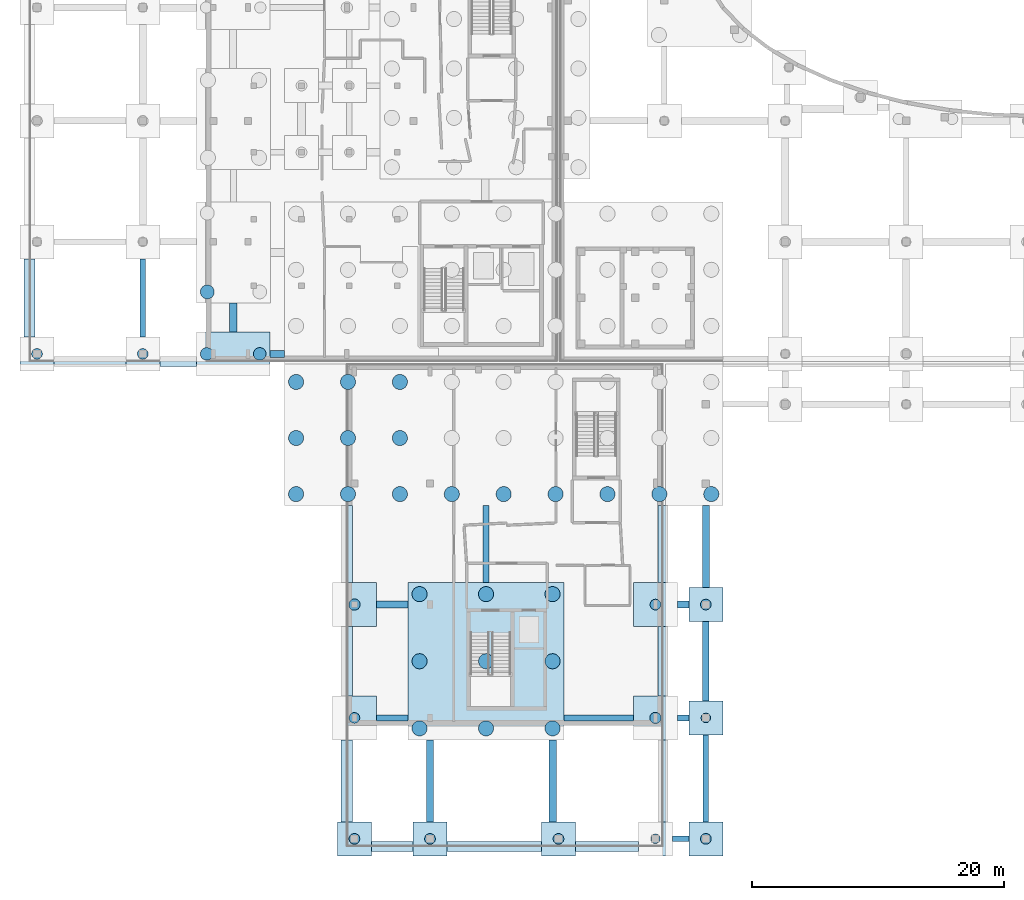
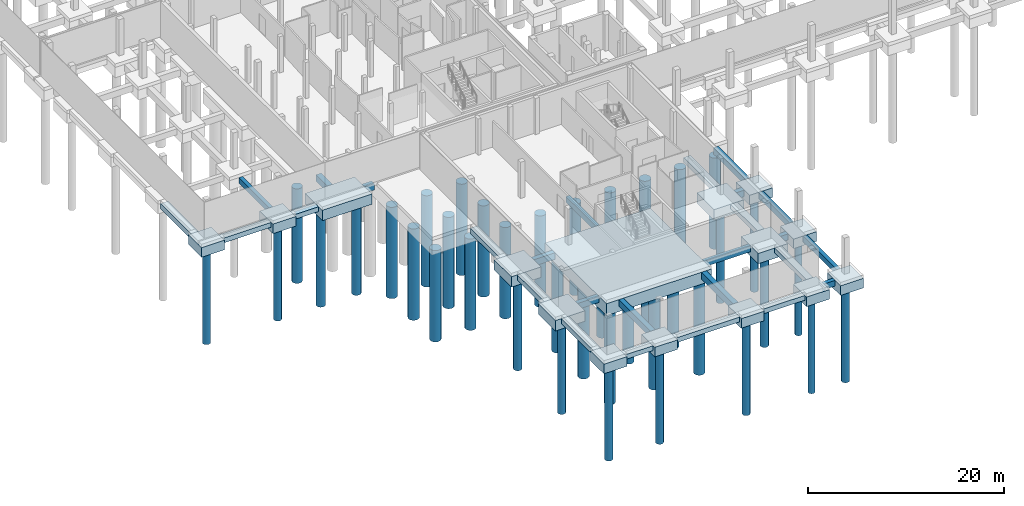
# One storey, part 1 of 40: 42 footings, 40 piles.
"""IFC4 building model written with IfcOpenShell, lengths in metres."""

from ifc_helpers import new_model, si_unit, direction, frame, origin, origin_2d, place, context, subcontext, project, spatial, polyline, circle, outline, extrude, material, material_profile, profile_set, type_object, element, save


model = new_model("IFC4")

# Units and contexts
model_context = context("Model", 3, precision=1e-05, world=origin(), true_north=direction((0.0, 1.0)))
body_context = subcontext(model_context, "Body", "Model", "MODEL_VIEW")
ifc_project = project(units=[si_unit("LENGTHUNIT", "METRE"), si_unit("AREAUNIT", "SQUARE_METRE"), si_unit("VOLUMEUNIT", "CUBIC_METRE"), si_unit("PLANEANGLEUNIT", "RADIAN"), si_unit("MASSUNIT", "GRAM", prefix="KILO")], contexts=[model_context])

# Site, building, storey
site_placement = place(None, origin())
site = spatial("IfcSite", under=ifc_project, at=site_placement, CompositionType="ELEMENT")
building_placement = place(site_placement, origin())
building = spatial("IfcBuilding", under=site, at=building_placement, Name="Mzevani Central Library", CompositionType="ELEMENT")
storey_placement = place(building_placement, frame((0.0, 0.0, -4.5)))
storey = spatial("IfcBuildingStorey", under=building, at=storey_placement, Name="B1", CompositionType="ELEMENT", Elevation=-4.5)

# Piles
ifc_material = material(Name="Concrete C40/50", Category="concrete")
ifc_material_profile_1 = material_profile(ifc_material, circle(Radius=0.5, at=origin_2d()), Name="PILE D1000")
ifc_profile_set_1 = profile_set([ifc_material_profile_1], Name="Concrete C40/50")
pile_type_1 = type_object("IfcPileType", Name="Bored Pile D1000", PredefinedType="BORED", material=ifc_profile_set_1)
for number, where, z_axis, x_axis, name in (
    (1, (18.070068359375, 43.10009765625, -1.6201171875), (0.0, 0.0, -1.0), (1.0, 0.0, 0.0), "B1 Bored Pile P-04 (302)"),
    (2, (22.280029296875, 43.10009765625, -1.6201171875), (0.0, 0.0, -1.0), (1.0, 0.0, 0.0), "B1 Bored Pile P-04 (303)"),
):
    element("IfcPile", number, at=place(storey_placement, frame(where, z_axis=z_axis, x_axis=x_axis)), inside=storey, type_object=pile_type_1, Name=name, PredefinedType="BORED", context=body_context, shape_type="SweptSolid", body=[
        extrude(circle(Radius=0.5, at=origin_2d()), origin(), (0.0, 0.0, 1.0), 11.8798828125),
    ])
ifc_material_profile_2 = material_profile(ifc_material, circle(Radius=0.550048828125, at=origin_2d()), Name="PILE D1100")
ifc_profile_set_2 = profile_set([ifc_material_profile_2], Name="Concrete C40/50")
pile_type_2 = type_object("IfcPileType", Name="Bored Pile D1100", PredefinedType="BORED", material=ifc_profile_set_2)
pile_1_placement = place(storey_placement, frame((18.1201171875, 48.02001953125, -1.719970703125), z_axis=(0.0, 0.0, -1.0), x_axis=(1.0, 0.0, 0.0)))
element("IfcPile", 3, at=pile_1_placement, inside=storey, type_object=pile_type_2, Name="B1 Bored Pile P-05 (304)", PredefinedType="BORED", context=body_context, shape_type="SweptSolid", body=[
    extrude(circle(Radius=0.550048828125, at=origin_2d()), origin(), (0.0, 0.0, 1.0), 11.780029296875),
])
ifc_material_profile_3 = material_profile(ifc_material, circle(Radius=0.60009765625, at=origin_2d()), Name="PILE D1200")
ifc_profile_set_3 = profile_set([ifc_material_profile_3], Name="Concrete C40/50")
pile_type_3 = type_object("IfcPileType", Name="Bored Pile D1200", PredefinedType="BORED", material=ifc_profile_set_3)
for number, where, z_axis, x_axis, name in (
    (4, (25.169921875, 31.969970703125, -2.1201171875), (0.0, 0.0, -1.0), (1.0, 0.0, 0.0), "B1 Bored Pile P-06 (226)"),
    (5, (25.169921875, 36.422119140625, -2.1201171875), (0.0, 0.0, -1.0), (1.0, 0.0, 0.0), "B1 Bored Pile P-06 (227)"),
    (6, (25.169921875, 40.8740234375, -2.1201171875), (0.0, 0.0, -1.0), (1.0, 0.0, 0.0), "B1 Bored Pile P-06 (228)"),
    (7, (29.2900390625, 31.969970703125, -2.1201171875), (0.0, 0.0, -1.0), (1.0, 0.0, 0.0), "B1 Bored Pile P-06 (232)"),
    (8, (29.2900390625, 36.422119140625, -2.1201171875), (0.0, 0.0, -1.0), (1.0, 0.0, 0.0), "B1 Bored Pile P-06 (233)"),
    (9, (29.2900390625, 40.8740234375, -2.1201171875), (0.0, 0.0, -1.0), (1.0, 0.0, 0.0), "B1 Bored Pile P-06 (234)"),
    (10, (33.409912109375, 31.969970703125, -2.1201171875), (0.0, 0.0, -1.0), (1.0, 0.0, 0.0), "B1 Bored Pile P-06 (238)"),
    (11, (33.409912109375, 36.422119140625, -2.1201171875), (0.0, 0.0, -1.0), (1.0, 0.0, 0.0), "B1 Bored Pile P-06 (239)"),
    (12, (33.409912109375, 40.8740234375, -2.1201171875), (0.0, 0.0, -1.0), (1.0, 0.0, 0.0), "B1 Bored Pile P-06 (240)"),
    (13, (37.530029296875, 31.969970703125, -2.1201171875), (0.0, 0.0, -1.0), (1.0, 0.0, 0.0), "B1 Bored Pile P-06 (244)"),
    (14, (41.64990234375, 31.969970703125, -2.1201171875), (0.0, 0.0, -1.0), (1.0, 0.0, 0.0), "B1 Bored Pile P-06 (250)"),
    (15, (45.77001953125, 31.969970703125, -2.1201171875), (0.0, 0.0, -1.0), (1.0, 0.0, 0.0), "B1 Bored Pile P-06 (256)"),
    (16, (49.889892578125, 31.969970703125, -2.1201171875), (0.0, 0.0, -1.0), (1.0, 0.0, 0.0), "B1 Bored Pile P-06 (262)"),
    (17, (54.010009765625, 31.969970703125, -2.1201171875), (0.0, 0.0, -1.0), (1.0, 0.0, 0.0), "B1 Bored Pile P-06 (268)"),
    (18, (58.1298828125, 31.969970703125, -2.1201171875), (0.0, 0.0, -1.0), (1.0, 0.0, 0.0), "B1 Bored Pile P-06 (274)"),
):
    element("IfcPile", number, at=place(storey_placement, frame(where, z_axis=z_axis, x_axis=x_axis)), inside=storey, type_object=pile_type_3, Name=name, PredefinedType="BORED", context=body_context, shape_type="SweptSolid", body=[
        extrude(circle(Radius=0.60009765625, at=origin_2d()), origin(), (0.0, 0.0, 1.0), 11.3798828125),
    ])
for number, where, z_axis, x_axis, name in (
    (19, (34.969970703125, 13.3701171875, -1.820068359375), (0.0, 0.0, -1.0), (1.0, 0.0, 0.0), "B1 Bored Pile P-06 (281)"),
    (20, (34.969970703125, 18.699951171875, -1.820068359375), (0.0, 0.0, -1.0), (1.0, 0.0, 0.0), "B1 Bored Pile P-06 (282)"),
    (21, (34.969970703125, 24.030029296875, -1.820068359375), (0.0, 0.0, -1.0), (1.0, 0.0, 0.0), "B1 Bored Pile P-06 (283)"),
    (22, (40.25, 13.3701171875, -1.820068359375), (0.0, 0.0, -1.0), (1.0, 0.0, 0.0), "B1 Bored Pile P-06 (284)"),
    (23, (40.25, 18.699951171875, -1.820068359375), (0.0, 0.0, -1.0), (1.0, 0.0, 0.0), "B1 Bored Pile P-06 (285)"),
    (24, (40.25, 24.030029296875, -1.820068359375), (0.0, 0.0, -1.0), (1.0, 0.0, 0.0), "B1 Bored Pile P-06 (286)"),
    (25, (45.530029296875, 13.3701171875, -1.820068359375), (0.0, 0.0, -1.0), (1.0, 0.0, 0.0), "B1 Bored Pile P-06 (287)"),
    (26, (45.530029296875, 18.699951171875, -1.820068359375), (0.0, 0.0, -1.0), (1.0, 0.0, 0.0), "B1 Bored Pile P-06 (288)"),
    (27, (45.530029296875, 24.030029296875, -1.820068359375), (0.0, 0.0, -1.0), (1.0, 0.0, 0.0), "B1 Bored Pile P-06 (289)"),
):
    element("IfcPile", number, at=place(storey_placement, frame(where, z_axis=z_axis, x_axis=x_axis)), inside=storey, type_object=pile_type_3, Name=name, PredefinedType="BORED", context=body_context, shape_type="SweptSolid", body=[
        extrude(circle(Radius=0.60009765625, at=origin_2d()), origin(), (0.0, 0.0, 1.0), 11.679931640625),
    ])
ifc_material_profile_4 = material_profile(ifc_material, circle(Radius=0.375, at=origin_2d()), Name="PILE D750")
ifc_profile_set_4 = profile_set([ifc_material_profile_4], Name="Concrete C40/50")
pile_type_4 = type_object("IfcPileType", Name="Bored Pile D750", PredefinedType="BORED", material=ifc_profile_set_4)
for number, where, z_axis, x_axis, name in (
    (28, (53.699951171875, 4.60009765625, -1.52001953125), (0.0, 0.0, -1.0), (1.0, 0.0, 0.0), "B1 Bored Pile P-01 (291)"),
    (29, (57.699951171875, 14.199951171875, -1.52001953125), (0.0, 0.0, -1.0), (1.0, 0.0, 0.0), "B1 Bored Pile P-01 (340)"),
):
    element("IfcPile", number, at=place(storey_placement, frame(where, z_axis=z_axis, x_axis=x_axis)), inside=storey, type_object=pile_type_4, Name=name, PredefinedType="BORED", context=body_context, shape_type="SweptSolid", body=[
        extrude(circle(Radius=0.375, at=origin_2d()), origin(), (0.0, 0.0, 1.0), 11.97998046875),
    ])
ifc_material_profile_5 = material_profile(ifc_material, circle(Radius=0.425048828125, at=origin_2d()), Name="PILE D850")
ifc_profile_set_5 = profile_set([ifc_material_profile_5], Name="Concrete C40/50")
pile_type_5 = type_object("IfcPileType", Name="Bored Pile D850", PredefinedType="BORED", material=ifc_profile_set_5)
pile_2_placement = place(storey_placement, frame((29.800048828125, 4.60009765625, -1.52001953125), z_axis=(0.0, 0.0, -1.0), x_axis=(1.0, 0.0, 0.0)))
element("IfcPile", 30, at=pile_2_placement, inside=storey, type_object=pile_type_5, Name="B1 Bored Pile P-02 (223)", PredefinedType="BORED", context=body_context, shape_type="SweptSolid", body=[
    extrude(circle(Radius=0.425048828125, at=origin_2d()), origin(), (0.0, 0.0, 1.0), 11.97998046875),
])
pile_3_placement = place(storey_placement, frame((29.800048828125, 14.199951171875, -1.6201171875), z_axis=(0.0, 0.0, -1.0), x_axis=(1.0, 0.0, 0.0)))
element("IfcPile", 31, at=pile_3_placement, inside=storey, type_object=pile_type_5, Name="B1 Bored Pile P-02 (224)", PredefinedType="BORED", context=body_context, shape_type="SweptSolid", body=[
    extrude(circle(Radius=0.425048828125, at=origin_2d()), origin(), (0.0, 0.0, 1.0), 11.8798828125),
])
for number, where, z_axis, x_axis, name in (
    (32, (35.800048828125, 4.60009765625, -1.52001953125), (0.0, 0.0, -1.0), (1.0, 0.0, 0.0), "B1 Bored Pile P-02 (280)"),
    (33, (46.0, 4.60009765625, -1.52001953125), (0.0, 0.0, -1.0), (1.0, 0.0, 0.0), "B1 Bored Pile P-02 (290)"),
):
    element("IfcPile", number, at=place(storey_placement, frame(where, z_axis=z_axis, x_axis=x_axis)), inside=storey, type_object=pile_type_5, Name=name, PredefinedType="BORED", context=body_context, shape_type="SweptSolid", body=[
        extrude(circle(Radius=0.425048828125, at=origin_2d()), origin(), (0.0, 0.0, 1.0), 11.97998046875),
    ])
pile_4_placement = place(storey_placement, frame((53.699951171875, 23.199951171875, -1.6201171875), z_axis=(0.0, 0.0, -1.0), x_axis=(1.0, 0.0, 0.0)))
element("IfcPile", 34, at=pile_4_placement, inside=storey, type_object=pile_type_5, Name="B1 Bored Pile P-02 (293)", PredefinedType="BORED", context=body_context, shape_type="SweptSolid", body=[
    extrude(circle(Radius=0.425048828125, at=origin_2d()), origin(), (0.0, 0.0, 1.0), 11.8798828125),
])
for number, where, z_axis, x_axis, name in (
    (35, (4.60009765625, 43.10009765625, -1.52001953125), (0.0, 0.0, -1.0), (1.0, 0.0, 0.0), "B1 Bored Pile P-02 (294)"),
    (36, (13.0, 43.10009765625, -1.52001953125), (0.0, 0.0, -1.0), (1.0, 0.0, 0.0), "B1 Bored Pile P-02 (298)"),
    (37, (57.699951171875, 4.60009765625, -1.52001953125), (0.0, 0.0, -1.0), (1.0, 0.0, 0.0), "B1 Bored Pile P-02 (339)"),
    (38, (57.699951171875, 23.199951171875, -1.52001953125), (0.0, 0.0, -1.0), (1.0, 0.0, 0.0), "B1 Bored Pile P-02 (341)"),
):
    element("IfcPile", number, at=place(storey_placement, frame(where, z_axis=z_axis, x_axis=x_axis)), inside=storey, type_object=pile_type_5, Name=name, PredefinedType="BORED", context=body_context, shape_type="SweptSolid", body=[
        extrude(circle(Radius=0.425048828125, at=origin_2d()), origin(), (0.0, 0.0, 1.0), 11.97998046875),
    ])
ifc_material_profile_6 = material_profile(ifc_material, circle(Radius=0.449951171875, at=origin_2d()), Name="PILE D900")
ifc_profile_set_6 = profile_set([ifc_material_profile_6], Name="Concrete C40/50")
pile_type_6 = type_object("IfcPileType", Name="Bored Pile D900", PredefinedType="BORED", material=ifc_profile_set_6)
for number, where, z_axis, x_axis, name in (
    (39, (29.800048828125, 23.199951171875, -1.6201171875), (0.0, 0.0, -1.0), (1.0, 0.0, 0.0), "B1 Bored Pile P-03 (225)"),
    (40, (53.699951171875, 14.199951171875, -1.6201171875), (0.0, 0.0, -1.0), (1.0, 0.0, 0.0), "B1 Bored Pile P-03 (292)"),
):
    element("IfcPile", number, at=place(storey_placement, frame(where, z_axis=z_axis, x_axis=x_axis)), inside=storey, type_object=pile_type_6, Name=name, PredefinedType="BORED", context=body_context, shape_type="SweptSolid", body=[
        extrude(circle(Radius=0.449951171875, at=origin_2d()), origin(), (0.0, 0.0, 1.0), 11.8798828125),
    ])

# Footings
footing_type_1 = type_object("IfcFootingType", Name="Ground Tie Beam RC 450x700", PredefinedType="FOOTING_BEAM", material=ifc_material)
footing_1_placement = place(storey_placement, frame((0.0, 0.0, -1.1201171875)))
element("IfcFooting", 41, at=footing_1_placement, inside=storey, type_object=footing_type_1, Name="MAT Ground Tie Beam GB-01 (37)", PredefinedType="FOOTING_BEAM", context=body_context, shape_type="SweptSolid", body=[
    extrude(outline(polyline([(46.449951171875, 13.97509765625), (51.949951171875, 13.97509765625), (51.949951171875, 14.425048828125), (46.449951171875, 14.425048828125), (46.449951171875, 13.97509765625)])), origin(), (0.0, 0.0, 1.0), 0.7001953125),
])
footing_2_placement = place(storey_placement, frame((0.0, 0.0, -1.1201171875)))
element("IfcFooting", 42, at=footing_2_placement, inside=storey, type_object=footing_type_1, Name="MAT Ground Tie Beam GB-01 (45)", PredefinedType="FOOTING_BEAM", context=body_context, shape_type="SweptSolid", body=[
    extrude(outline(polyline([(55.050048828125, 4.375), (56.35009765625, 4.375), (56.35009765625, 4.824951171875), (55.050048828125, 4.824951171875), (55.050048828125, 4.375)])), origin(), (0.0, 0.0, 1.0), 0.7001953125),
])
footing_3_placement = place(storey_placement, frame((0.0, 0.0, -1.1201171875)))
element("IfcFooting", 43, at=footing_3_placement, inside=storey, type_object=footing_type_1, Name="MAT Ground Tie Beam GB-01 (117)", PredefinedType="FOOTING_BEAM", context=body_context, shape_type="SweptSolid", body=[
    extrude(outline(polyline([(57.47509765625, 5.949951171875), (57.925048828125, 5.949951171875), (57.925048828125, 12.85009765625), (57.47509765625, 12.85009765625), (57.47509765625, 5.949951171875)])), origin(), (0.0, 0.0, 1.0), 0.7001953125),
])
footing_4_placement = place(storey_placement, frame((0.0, 0.0, -1.1201171875)))
element("IfcFooting", 44, at=footing_4_placement, inside=storey, type_object=footing_type_1, Name="MAT Ground Tie Beam GB-01 (129)", PredefinedType="FOOTING_BEAM", context=body_context, shape_type="SweptSolid", body=[
    extrude(outline(polyline([(40.02490234375, 24.949951171875), (40.47509765625, 24.949951171875), (40.47509765625, 31.050048828125), (40.02490234375, 31.050048828125), (40.02490234375, 24.949951171875)])), origin(), (0.0, 0.0, 1.0), 0.7001953125),
])
footing_5_placement = place(storey_placement, frame((0.0, 0.0, -1.1201171875)))
element("IfcFooting", 45, at=footing_5_placement, inside=storey, type_object=footing_type_1, Name="MAT Ground Tie Beam GB-01 (149)", PredefinedType="FOOTING_BEAM", context=body_context, shape_type="SweptSolid", body=[
    extrude(outline(polyline([(12.77490234375, 44.449951171875), (13.22509765625, 44.449951171875), (13.22509765625, 50.64990234375), (12.77490234375, 50.64990234375), (12.77490234375, 44.449951171875)])), origin(), (0.0, 0.0, 1.0), 0.7001953125),
])
footing_type_2 = type_object("IfcFootingType", Name="Ground Tie Beam RC 500x750", PredefinedType="FOOTING_BEAM", material=ifc_material)
footing_6_placement = place(storey_placement, frame((0.0, 0.0, -1.169921875)))
element("IfcFooting", 46, at=footing_6_placement, inside=storey, type_object=footing_type_2, Name="MAT Ground Tie Beam GB-02 (30)", PredefinedType="FOOTING_BEAM", context=body_context, shape_type="SweptSolid", body=[
    extrude(outline(polyline([(31.550048828125, 13.949951171875), (34.050048828125, 13.949951171875), (34.050048828125, 14.449951171875), (31.550048828125, 14.449951171875), (31.550048828125, 13.949951171875)])), origin(), (0.0, 0.0, 1.0), 0.75),
])
footing_7_placement = place(storey_placement, frame((0.0, 0.0, -1.169921875)))
element("IfcFooting", 47, at=footing_7_placement, inside=storey, type_object=footing_type_2, Name="MAT Ground Tie Beam GB-02 (42)", PredefinedType="FOOTING_BEAM", context=body_context, shape_type="SweptSolid", body=[
    extrude(outline(polyline([(55.449951171875, 13.949951171875), (56.35009765625, 13.949951171875), (56.35009765625, 14.449951171875), (55.449951171875, 14.449951171875), (55.449951171875, 13.949951171875)])), origin(), (0.0, 0.0, 1.0), 0.75),
])
footing_8_placement = place(storey_placement, frame((0.0, 0.0, -1.169921875)))
element("IfcFooting", 48, at=footing_8_placement, inside=storey, type_object=footing_type_2, Name="MAT Ground Tie Beam GB-02 (130)", PredefinedType="FOOTING_BEAM", context=body_context, shape_type="SweptSolid", body=[
    extrude(outline(polyline([(57.449951171875, 15.550048828125), (57.949951171875, 15.550048828125), (57.949951171875, 21.85009765625), (57.449951171875, 21.85009765625), (57.449951171875, 15.550048828125)])), origin(), (0.0, 0.0, 1.0), 0.75),
])
footing_type_3 = type_object("IfcFootingType", Name="Ground Tie Beam RC 550x800", PredefinedType="FOOTING_BEAM", material=ifc_material)
footing_9_placement = place(storey_placement, frame((0.0, 0.0, -1.219970703125)))
element("IfcFooting", 49, at=footing_9_placement, inside=storey, type_object=footing_type_3, Name="MAT Ground Tie Beam GB-03 (15)", PredefinedType="FOOTING_BEAM", context=body_context, shape_type="SweptSolid", body=[
    extrude(outline(polyline([(23.10009765625, 42.824951171875), (24.25, 42.824951171875), (24.25, 43.375), (23.10009765625, 43.375), (23.10009765625, 42.824951171875)])), origin(), (0.0, 0.0, 1.0), 0.800048828125),
])
footing_10_placement = place(storey_placement, frame((0.0, 0.0, -1.219970703125)))
element("IfcFooting", 50, at=footing_10_placement, inside=storey, type_object=footing_type_3, Name="MAT Ground Tie Beam GB-03 (31)", PredefinedType="FOOTING_BEAM", context=body_context, shape_type="SweptSolid", body=[
    extrude(outline(polyline([(31.550048828125, 22.925048828125), (34.050048828125, 22.925048828125), (34.050048828125, 23.47509765625), (31.550048828125, 23.47509765625), (31.550048828125, 22.925048828125)])), origin(), (0.0, 0.0, 1.0), 0.800048828125),
])
footing_11_placement = place(storey_placement, frame((0.0, 0.0, -1.219970703125)))
element("IfcFooting", 51, at=footing_11_placement, inside=storey, type_object=footing_type_3, Name="MAT Ground Tie Beam GB-03 (43)", PredefinedType="FOOTING_BEAM", context=body_context, shape_type="SweptSolid", body=[
    extrude(outline(polyline([(55.449951171875, 22.925048828125), (56.35009765625, 22.925048828125), (56.35009765625, 23.47509765625), (55.449951171875, 23.47509765625), (55.449951171875, 22.925048828125)])), origin(), (0.0, 0.0, 1.0), 0.800048828125),
])
footing_12_placement = place(storey_placement, frame((0.0, 0.0, -1.219970703125)))
element("IfcFooting", 52, at=footing_12_placement, inside=storey, type_object=footing_type_3, Name="MAT Ground Tie Beam GB-03 (115)", PredefinedType="FOOTING_BEAM", context=body_context, shape_type="SweptSolid", body=[
    extrude(outline(polyline([(35.52490234375, 5.949951171875), (36.074951171875, 5.949951171875), (36.074951171875, 12.449951171875), (35.52490234375, 12.449951171875), (35.52490234375, 5.949951171875)])), origin(), (0.0, 0.0, 1.0), 0.800048828125),
])
footing_13_placement = place(storey_placement, frame((0.0, 0.0, -1.219970703125)))
element("IfcFooting", 53, at=footing_13_placement, inside=storey, type_object=footing_type_3, Name="MAT Ground Tie Beam GB-03 (135)", PredefinedType="FOOTING_BEAM", context=body_context, shape_type="SweptSolid", body=[
    extrude(outline(polyline([(57.425048828125, 24.550048828125), (57.97509765625, 24.550048828125), (57.97509765625, 31.050048828125), (57.425048828125, 31.050048828125), (57.425048828125, 24.550048828125)])), origin(), (0.0, 0.0, 1.0), 0.800048828125),
])
footing_type_4 = type_object("IfcFootingType", Name="Ground Tie Beam RC 600x850", PredefinedType="FOOTING_BEAM", material=ifc_material)
footing_14_placement = place(storey_placement, frame((0.0, 0.0, -1.27001953125)))
element("IfcFooting", 54, at=footing_14_placement, inside=storey, type_object=footing_type_4, Name="MAT Ground Tie Beam GB-04 (116)", PredefinedType="FOOTING_BEAM", context=body_context, shape_type="SweptSolid", body=[
    extrude(outline(polyline([(45.25, 5.949951171875), (45.85009765625, 5.949951171875), (45.85009765625, 12.449951171875), (45.25, 12.449951171875), (45.25, 5.949951171875)])), origin(), (0.0, 0.0, 1.0), 0.85009765625),
])
footing_15_placement = place(storey_placement, frame((0.0, 0.0, -1.27001953125)))
element("IfcFooting", 55, at=footing_15_placement, inside=storey, type_object=footing_type_4, Name="MAT Ground Tie Beam GB-04 (148)", PredefinedType="FOOTING_BEAM", context=body_context, shape_type="SweptSolid", body=[
    extrude(outline(polyline([(19.875, 44.85009765625), (20.47509765625, 44.85009765625), (20.47509765625, 47.14990234375), (19.875, 47.14990234375), (19.875, 44.85009765625)])), origin(), (0.0, 0.0, 1.0), 0.85009765625),
])
footing_type_5 = type_object("IfcFootingType", Name="Perimeter Strip Footing RC 800x600", PredefinedType="STRIP_FOOTING", material=ifc_material)
footing_16_placement = place(storey_placement, frame((0.0, 0.0, -1.02001953125)))
element("IfcFooting", 56, at=footing_16_placement, inside=storey, type_object=footing_type_5, Name="B1 Perimeter Strip Footing SF-01 (45)", PredefinedType="STRIP_FOOTING", context=body_context, shape_type="SweptSolid", body=[
    extrude(outline(polyline([(53.89990234375, 24.949951171875), (53.89990234375, 31.050048828125), (54.699951171875, 31.050048828125), (54.699951171875, 24.949951171875), (53.89990234375, 24.949951171875)])), origin(), (0.0, 0.0, 1.0), 0.60009765625),
])
footing_17_placement = place(storey_placement, frame((0.0, 0.0, -1.02001953125)))
element("IfcFooting", 57, at=footing_17_placement, inside=storey, type_object=footing_type_5, Name="B1 Perimeter Strip Footing SF-01 (46)", PredefinedType="STRIP_FOOTING", context=body_context, shape_type="SweptSolid", body=[
    extrude(outline(polyline([(53.89990234375, 15.949951171875), (53.89990234375, 21.449951171875), (54.699951171875, 21.449951171875), (54.699951171875, 15.949951171875), (53.89990234375, 15.949951171875)])), origin(), (0.0, 0.0, 1.0), 0.60009765625),
])
footing_18_placement = place(storey_placement, frame((0.0, 0.0, -1.02001953125)))
element("IfcFooting", 58, at=footing_18_placement, inside=storey, type_object=footing_type_5, Name="B1 Perimeter Strip Footing SF-01 (47)", PredefinedType="STRIP_FOOTING", context=body_context, shape_type="SweptSolid", body=[
    extrude(outline(polyline([(53.89990234375, 5.949951171875), (53.89990234375, 12.449951171875), (54.699951171875, 12.449951171875), (54.699951171875, 5.949951171875), (53.89990234375, 5.949951171875)])), origin(), (0.0, 0.0, 1.0), 0.60009765625),
])
footing_19_placement = place(storey_placement, frame((0.0, 0.0, -1.02001953125)))
element("IfcFooting", 59, at=footing_19_placement, inside=storey, type_object=footing_type_5, Name="B1 Perimeter Strip Footing SF-01 (51)", PredefinedType="STRIP_FOOTING", context=body_context, shape_type="SweptSolid", body=[
    extrude(outline(polyline([(47.35009765625, 4.39990234375), (52.35009765625, 4.39990234375), (52.35009765625, 3.60009765625), (47.35009765625, 3.60009765625), (47.35009765625, 4.39990234375)])), origin(), (0.0, 0.0, 1.0), 0.60009765625),
])
footing_20_placement = place(storey_placement, frame((0.0, 0.0, -1.02001953125)))
element("IfcFooting", 60, at=footing_20_placement, inside=storey, type_object=footing_type_5, Name="B1 Perimeter Strip Footing SF-01 (52)", PredefinedType="STRIP_FOOTING", context=body_context, shape_type="SweptSolid", body=[
    extrude(outline(polyline([(37.14990234375, 4.39990234375), (44.64990234375, 4.39990234375), (44.64990234375, 3.60009765625), (37.14990234375, 3.60009765625), (37.14990234375, 4.39990234375)])), origin(), (0.0, 0.0, 1.0), 0.60009765625),
])
footing_21_placement = place(storey_placement, frame((0.0, 0.0, -1.02001953125)))
element("IfcFooting", 61, at=footing_21_placement, inside=storey, type_object=footing_type_5, Name="B1 Perimeter Strip Footing SF-01 (53)", PredefinedType="STRIP_FOOTING", context=body_context, shape_type="SweptSolid", body=[
    extrude(outline(polyline([(31.14990234375, 4.39990234375), (34.449951171875, 4.39990234375), (34.449951171875, 3.60009765625), (31.14990234375, 3.60009765625), (31.14990234375, 4.39990234375)])), origin(), (0.0, 0.0, 1.0), 0.60009765625),
])
footing_22_placement = place(storey_placement, frame((0.0, 0.0, -1.02001953125)))
element("IfcFooting", 62, at=footing_22_placement, inside=storey, type_object=footing_type_5, Name="B1 Perimeter Strip Footing SF-01 (57)", PredefinedType="STRIP_FOOTING", context=body_context, shape_type="SweptSolid", body=[
    extrude(outline(polyline([(14.35009765625, 42.89990234375), (17.25, 42.89990234375), (17.25, 42.10009765625), (14.35009765625, 42.10009765625), (14.35009765625, 42.89990234375)])), origin(), (0.0, 0.0, 1.0), 0.60009765625),
])
footing_23_placement = place(storey_placement, frame((0.0, 0.0, -1.02001953125)))
element("IfcFooting", 63, at=footing_23_placement, inside=storey, type_object=footing_type_5, Name="B1 Perimeter Strip Footing SF-01 (58)", PredefinedType="STRIP_FOOTING", context=body_context, shape_type="SweptSolid", body=[
    extrude(outline(polyline([(5.949951171875, 42.89990234375), (11.64990234375, 42.89990234375), (11.64990234375, 42.10009765625), (5.949951171875, 42.10009765625), (5.949951171875, 42.89990234375)])), origin(), (0.0, 0.0, 1.0), 0.60009765625),
])
footing_type_6 = type_object("IfcFootingType", Name="Perimeter Strip Footing RC 900x650", PredefinedType="STRIP_FOOTING", material=ifc_material)
footing_24_placement = place(storey_placement, frame((0.0, 0.0, -1.070068359375)))
element("IfcFooting", 64, at=footing_24_placement, inside=storey, type_object=footing_type_6, Name="B1 Perimeter Strip Footing SF-02 (48)", PredefinedType="STRIP_FOOTING", context=body_context, shape_type="SweptSolid", body=[
    extrude(outline(polyline([(29.64990234375, 12.449951171875), (29.64990234375, 5.949951171875), (28.75, 5.949951171875), (28.75, 12.449951171875), (29.64990234375, 12.449951171875)])), origin(), (0.0, 0.0, 1.0), 0.650146484375),
])
footing_25_placement = place(storey_placement, frame((0.0, 0.0, -1.070068359375)))
element("IfcFooting", 65, at=footing_25_placement, inside=storey, type_object=footing_type_6, Name="B1 Perimeter Strip Footing SF-02 (49)", PredefinedType="STRIP_FOOTING", context=body_context, shape_type="SweptSolid", body=[
    extrude(outline(polyline([(29.64990234375, 21.449951171875), (29.64990234375, 15.949951171875), (28.75, 15.949951171875), (28.75, 21.449951171875), (29.64990234375, 21.449951171875)])), origin(), (0.0, 0.0, 1.0), 0.650146484375),
])
footing_26_placement = place(storey_placement, frame((0.0, 0.0, -1.070068359375)))
element("IfcFooting", 66, at=footing_26_placement, inside=storey, type_object=footing_type_6, Name="B1 Perimeter Strip Footing SF-02 (50)", PredefinedType="STRIP_FOOTING", context=body_context, shape_type="SweptSolid", body=[
    extrude(outline(polyline([(29.64990234375, 31.050048828125), (29.64990234375, 24.949951171875), (28.75, 24.949951171875), (28.75, 31.050048828125), (29.64990234375, 31.050048828125)])), origin(), (0.0, 0.0, 1.0), 0.650146484375),
])
footing_27_placement = place(storey_placement, frame((0.0, 0.0, -1.070068359375)))
element("IfcFooting", 67, at=footing_27_placement, inside=storey, type_object=footing_type_6, Name="B1 Perimeter Strip Footing SF-02 (54)", PredefinedType="STRIP_FOOTING", context=body_context, shape_type="SweptSolid", body=[
    extrude(outline(polyline([(4.449951171875, 50.64990234375), (4.449951171875, 44.449951171875), (3.550048828125, 44.449951171875), (3.550048828125, 50.64990234375), (4.449951171875, 50.64990234375)])), origin(), (0.0, 0.0, 1.0), 0.650146484375),
])
footing_type_7 = type_object("IfcFootingType", Name="Pile Cap RC 12500x12400x1500", PredefinedType="PILE_CAP", material=ifc_material)
footing_28_placement = place(storey_placement, frame((0.0, 0.0, -1.919921875)))
element("IfcFooting", 68, at=footing_28_placement, inside=storey, type_object=footing_type_7, Name="B1 Pile Cap PC-35 (112)", PredefinedType="PILE_CAP", context=body_context, shape_type="SweptSolid", body=[
    extrude(outline(polyline([(34.050048828125, 12.449951171875), (46.449951171875, 12.449951171875), (46.449951171875, 24.949951171875), (34.050048828125, 24.949951171875), (34.050048828125, 12.449951171875)])), origin(), (0.0, 0.0, 1.0), 1.5),
])
footing_type_8 = type_object("IfcFootingType", Name="Pile Cap RC 2700x2700x1200", PredefinedType="PILE_CAP", material=ifc_material)
footing_29_placement = place(storey_placement, frame((0.0, 0.0, -1.6201171875)))
element("IfcFooting", 69, at=footing_29_placement, inside=storey, type_object=footing_type_8, Name="B1 Pile Cap PC-02 (107)", PredefinedType="PILE_CAP", context=body_context, shape_type="SweptSolid", body=[
    extrude(outline(polyline([(28.449951171875, 3.25), (31.14990234375, 3.25), (31.14990234375, 5.949951171875), (28.449951171875, 5.949951171875), (28.449951171875, 3.25)])), origin(), (0.0, 0.0, 1.0), 1.2001953125),
])
footing_30_placement = place(storey_placement, frame((0.0, 0.0, -1.6201171875)))
element("IfcFooting", 70, at=footing_30_placement, inside=storey, type_object=footing_type_8, Name="B1 Pile Cap PC-02 (111)", PredefinedType="PILE_CAP", context=body_context, shape_type="SweptSolid", body=[
    extrude(outline(polyline([(34.449951171875, 3.25), (37.14990234375, 3.25), (37.14990234375, 5.949951171875), (34.449951171875, 5.949951171875), (34.449951171875, 3.25)])), origin(), (0.0, 0.0, 1.0), 1.2001953125),
])
footing_31_placement = place(storey_placement, frame((0.0, 0.0, -1.6201171875)))
element("IfcFooting", 71, at=footing_31_placement, inside=storey, type_object=footing_type_8, Name="B1 Pile Cap PC-02 (113)", PredefinedType="PILE_CAP", context=body_context, shape_type="SweptSolid", body=[
    extrude(outline(polyline([(44.64990234375, 3.25), (47.35009765625, 3.25), (47.35009765625, 5.949951171875), (44.64990234375, 5.949951171875), (44.64990234375, 3.25)])), origin(), (0.0, 0.0, 1.0), 1.2001953125),
])
footing_32_placement = place(storey_placement, frame((0.0, 0.0, -1.6201171875)))
element("IfcFooting", 72, at=footing_32_placement, inside=storey, type_object=footing_type_8, Name="B1 Pile Cap PC-02 (114)", PredefinedType="PILE_CAP", context=body_context, shape_type="SweptSolid", body=[
    extrude(outline(polyline([(52.35009765625, 3.25), (55.050048828125, 3.25), (55.050048828125, 5.949951171875), (52.35009765625, 5.949951171875), (52.35009765625, 3.25)])), origin(), (0.0, 0.0, 1.0), 1.2001953125),
])
footing_33_placement = place(storey_placement, frame((0.0, 0.0, -1.6201171875)))
element("IfcFooting", 73, at=footing_33_placement, inside=storey, type_object=footing_type_8, Name="B1 Pile Cap PC-02 (117)", PredefinedType="PILE_CAP", context=body_context, shape_type="SweptSolid", body=[
    extrude(outline(polyline([(3.25, 41.75), (5.949951171875, 41.75), (5.949951171875, 44.449951171875), (3.25, 44.449951171875), (3.25, 41.75)])), origin(), (0.0, 0.0, 1.0), 1.2001953125),
])
footing_34_placement = place(storey_placement, frame((0.0, 0.0, -1.6201171875)))
element("IfcFooting", 74, at=footing_34_placement, inside=storey, type_object=footing_type_8, Name="B1 Pile Cap PC-02 (121)", PredefinedType="PILE_CAP", context=body_context, shape_type="SweptSolid", body=[
    extrude(outline(polyline([(11.64990234375, 41.75), (14.35009765625, 41.75), (14.35009765625, 44.449951171875), (11.64990234375, 44.449951171875), (11.64990234375, 41.75)])), origin(), (0.0, 0.0, 1.0), 1.2001953125),
])
footing_35_placement = place(storey_placement, frame((0.0, 0.0, -1.6201171875)))
element("IfcFooting", 75, at=footing_35_placement, inside=storey, type_object=footing_type_8, Name="B1 Pile Cap PC-02 (151)", PredefinedType="PILE_CAP", context=body_context, shape_type="SweptSolid", body=[
    extrude(outline(polyline([(56.35009765625, 3.25), (59.050048828125, 3.25), (59.050048828125, 5.949951171875), (56.35009765625, 5.949951171875), (56.35009765625, 3.25)])), origin(), (0.0, 0.0, 1.0), 1.2001953125),
])
footing_36_placement = place(storey_placement, frame((0.0, 0.0, -1.6201171875)))
element("IfcFooting", 76, at=footing_36_placement, inside=storey, type_object=footing_type_8, Name="B1 Pile Cap PC-02 (152)", PredefinedType="PILE_CAP", context=body_context, shape_type="SweptSolid", body=[
    extrude(outline(polyline([(56.35009765625, 12.85009765625), (59.050048828125, 12.85009765625), (59.050048828125, 15.550048828125), (56.35009765625, 15.550048828125), (56.35009765625, 12.85009765625)])), origin(), (0.0, 0.0, 1.0), 1.2001953125),
])
footing_37_placement = place(storey_placement, frame((0.0, 0.0, -1.6201171875)))
element("IfcFooting", 77, at=footing_37_placement, inside=storey, type_object=footing_type_8, Name="B1 Pile Cap PC-02 (153)", PredefinedType="PILE_CAP", context=body_context, shape_type="SweptSolid", body=[
    extrude(outline(polyline([(56.35009765625, 21.85009765625), (59.050048828125, 21.85009765625), (59.050048828125, 24.550048828125), (56.35009765625, 24.550048828125), (56.35009765625, 21.85009765625)])), origin(), (0.0, 0.0, 1.0), 1.2001953125),
])
footing_type_9 = type_object("IfcFootingType", Name="Pile Cap RC 3500x3500x1300", PredefinedType="PILE_CAP", material=ifc_material)
footing_38_placement = place(storey_placement, frame((0.0, 0.0, -1.719970703125)))
element("IfcFooting", 78, at=footing_38_placement, inside=storey, type_object=footing_type_9, Name="B1 Pile Cap PC-26 (108)", PredefinedType="PILE_CAP", context=body_context, shape_type="SweptSolid", body=[
    extrude(outline(polyline([(28.050048828125, 12.449951171875), (31.550048828125, 12.449951171875), (31.550048828125, 15.949951171875), (28.050048828125, 15.949951171875), (28.050048828125, 12.449951171875)])), origin(), (0.0, 0.0, 1.0), 1.300048828125),
])
footing_39_placement = place(storey_placement, frame((0.0, 0.0, -1.719970703125)))
element("IfcFooting", 79, at=footing_39_placement, inside=storey, type_object=footing_type_9, Name="B1 Pile Cap PC-26 (109)", PredefinedType="PILE_CAP", context=body_context, shape_type="SweptSolid", body=[
    extrude(outline(polyline([(28.050048828125, 21.449951171875), (31.550048828125, 21.449951171875), (31.550048828125, 24.949951171875), (28.050048828125, 24.949951171875), (28.050048828125, 21.449951171875)])), origin(), (0.0, 0.0, 1.0), 1.300048828125),
])
footing_40_placement = place(storey_placement, frame((0.0, 0.0, -1.719970703125)))
element("IfcFooting", 80, at=footing_40_placement, inside=storey, type_object=footing_type_9, Name="B1 Pile Cap PC-26 (115)", PredefinedType="PILE_CAP", context=body_context, shape_type="SweptSolid", body=[
    extrude(outline(polyline([(51.949951171875, 12.449951171875), (55.449951171875, 12.449951171875), (55.449951171875, 15.949951171875), (51.949951171875, 15.949951171875), (51.949951171875, 12.449951171875)])), origin(), (0.0, 0.0, 1.0), 1.300048828125),
])
footing_41_placement = place(storey_placement, frame((0.0, 0.0, -1.719970703125)))
element("IfcFooting", 81, at=footing_41_placement, inside=storey, type_object=footing_type_9, Name="B1 Pile Cap PC-26 (116)", PredefinedType="PILE_CAP", context=body_context, shape_type="SweptSolid", body=[
    extrude(outline(polyline([(51.949951171875, 21.449951171875), (55.449951171875, 21.449951171875), (55.449951171875, 24.949951171875), (51.949951171875, 24.949951171875), (51.949951171875, 21.449951171875)])), origin(), (0.0, 0.0, 1.0), 1.300048828125),
])
footing_type_10 = type_object("IfcFootingType", Name="Pile Cap RC 5850x3500x1300", PredefinedType="PILE_CAP", material=ifc_material)
footing_42_placement = place(storey_placement, frame((0.0, 0.0, -1.719970703125)))
element("IfcFooting", 82, at=footing_42_placement, inside=storey, type_object=footing_type_10, Name="B1 Pile Cap PC-36 (125)", PredefinedType="PILE_CAP", context=body_context, shape_type="SweptSolid", body=[
    extrude(outline(polyline([(17.25, 41.35009765625), (23.10009765625, 41.35009765625), (23.10009765625, 44.85009765625), (17.25, 44.85009765625), (17.25, 41.35009765625)])), origin(), (0.0, 0.0, 1.0), 1.300048828125),
])

save(model, "model.ifc")
